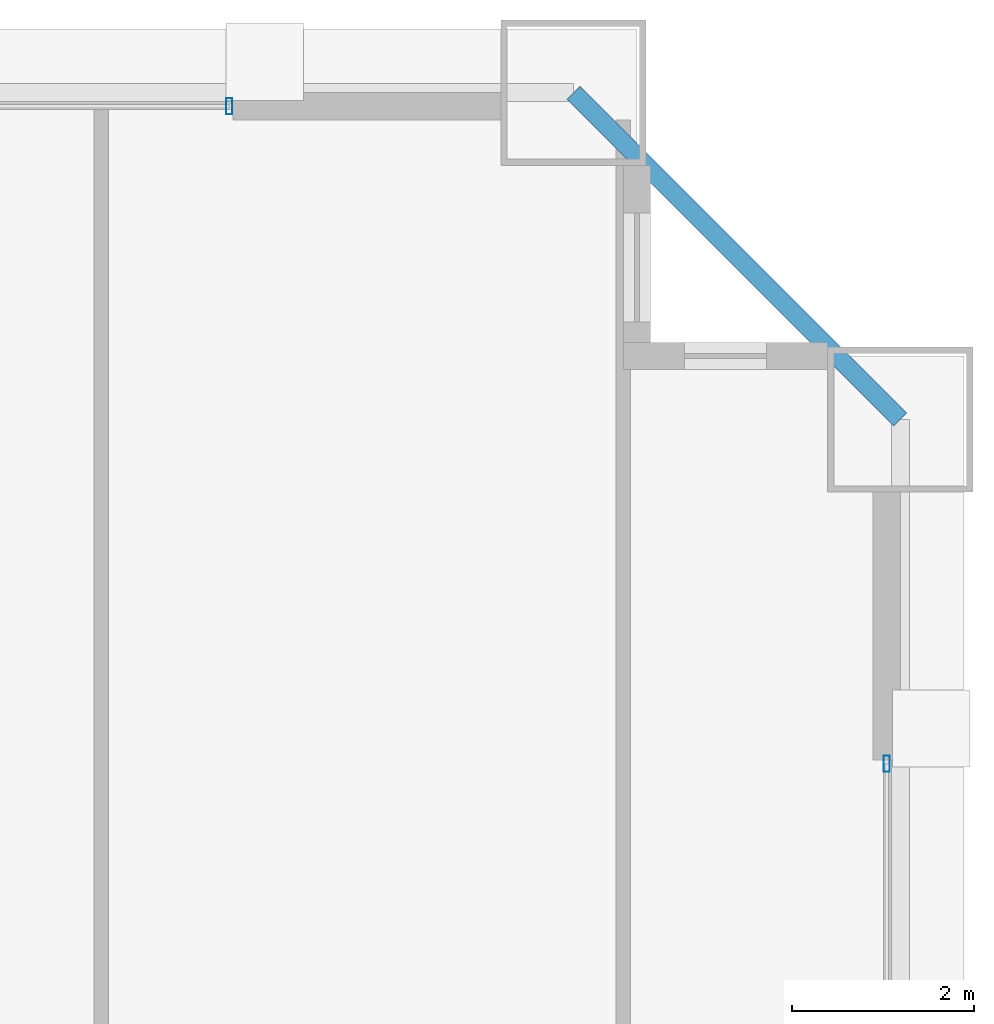
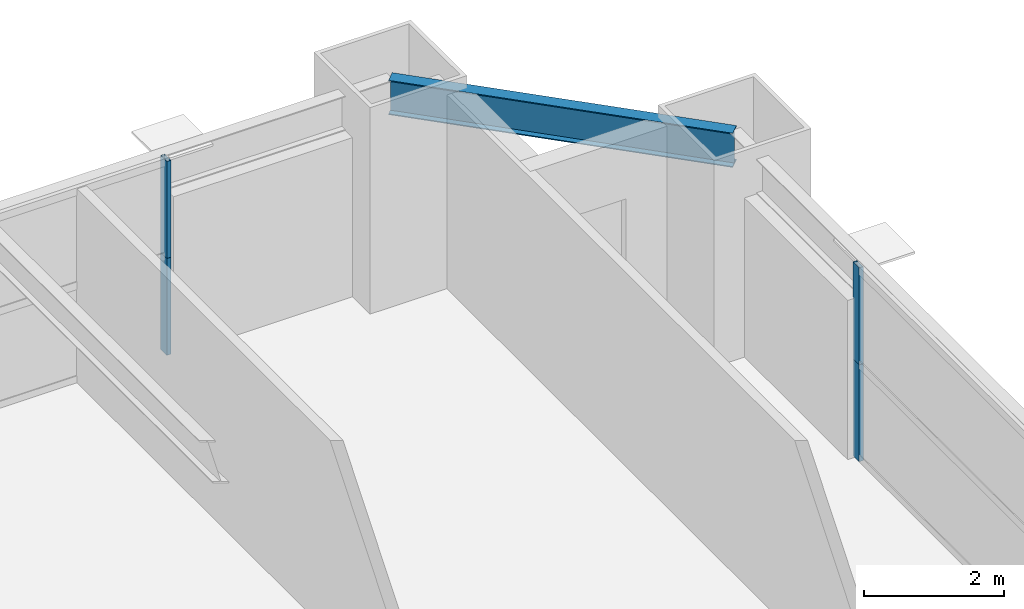
# One storey, part 32 of 38: 4 members, 1 beam, 2 elements without a shape of their own.
"""IFC4 building model written with IfcOpenShell, lengths in metres."""

import ifcopenshell
import ifcopenshell.guid

model = None  # the IFC model being written
_history = None  # IfcOwnerHistory: only IFC2X3 demands one
_inside = {}  # id of a spatial element -> (the spatial element, [elements in it])
_under = {}  # id of a project, library or spatial element -> (it, [spatial elements below it])
_declared = {}  # id of a project -> (the project, [libraries it declares])
_typed = {}  # id of a type object -> (the type object, [elements of that type])
_made_of = {}  # id of a material, layer set ... -> (it, [elements and type objects made of it])


def new_model(schema):
    """Start an empty IFC model of exactly this schema.

    Asked for "IFC4X3", IfcOpenShell would pick the latest addendum, in which some entities
    have other attributes; the version numbers below select the first issue.
    IFC2X3 requires an IfcOwnerHistory on every rooted entity: one is made here for all.
    """
    global model, _history
    if schema == "IFC4X3":
        model = ifcopenshell.file(schema_version=(4, 3, 0, 0))
    else:
        model = ifcopenshell.file(schema=schema)
    _inside.clear()
    _under.clear()
    _declared.clear()
    _typed.clear()
    _made_of.clear()
    _history = None
    if model.schema == "IFC2X3":
        org = make("IfcOrganization", Name="unknown")
        user = make(
            "IfcPersonAndOrganization",
            ThePerson=make("IfcPerson", FamilyName="unknown"),
            TheOrganization=org,
        )
        app = make(
            "IfcApplication",
            ApplicationDeveloper=org,
            Version="unknown",
            ApplicationFullName="unknown",
            ApplicationIdentifier="unknown",
        )
        _history = make(
            "IfcOwnerHistory",
            OwningUser=user,
            OwningApplication=app,
            ChangeAction="ADDED",
            CreationDate=0,
        )
    return model


def make(cls, **values):
    """One entity of the class cls with the attributes given. An attribute that is None is left unset."""
    return model.create_entity(
        cls, **{name: value for name, value in values.items() if value is not None}
    )


def rooted(cls, **values):
    """An entity with a GlobalId (a new one), such as an element, a storey or a relation."""
    return make(cls, GlobalId=ifcopenshell.guid.new(), OwnerHistory=_history, **values)


def si_unit(unit_type, name, prefix=None):
    """IfcSIUnit, for example si_unit("LENGTHUNIT", "METRE", prefix="MILLI")."""
    return make("IfcSIUnit", UnitType=unit_type, Prefix=prefix, Name=name)


def assignment(units):
    """IfcUnitAssignment: the units of a project."""
    return None if units is None else make("IfcUnitAssignment", Units=units)


def point(xyz):
    """IfcCartesianPoint."""
    return None if xyz is None else make("IfcCartesianPoint", Coordinates=xyz)


def direction(xyz):
    """IfcDirection."""
    return None if xyz is None else make("IfcDirection", DirectionRatios=xyz)


def frame(location, z_axis=None, x_axis=None):
    """IfcAxis2Placement3D, a coordinate frame: its origin and axes. An axis left out is left unset."""
    return make(
        "IfcAxis2Placement3D",
        Location=point(location),
        Axis=direction(z_axis),
        RefDirection=direction(x_axis),
    )


def frame_2d(location, x_axis=None):
    """IfcAxis2Placement2D, a coordinate frame in the plane: its origin and x axis."""
    return make(
        "IfcAxis2Placement2D", Location=point(location), RefDirection=direction(x_axis)
    )


def origin():
    """The frame at (0, 0, 0) with its axes left unset."""
    return frame((0.0, 0.0, 0.0))


def origin_2d():
    """The frame at (0, 0) in the plane with its x axis left unset."""
    return frame_2d((0.0, 0.0))


def place(relative_to, where):
    """IfcLocalPlacement: puts the frame where relative to a parent placement (None: the world)."""
    return make(
        "IfcLocalPlacement", PlacementRelTo=relative_to, RelativePlacement=where
    )


def context(
    kind, dimensions, precision=None, world=None, true_north=None, identifier=None
):
    """IfcGeometricRepresentationContext, for example the 3D "Model" context."""
    return make(
        "IfcGeometricRepresentationContext",
        ContextIdentifier=identifier,
        ContextType=kind,
        CoordinateSpaceDimension=dimensions,
        Precision=precision,
        WorldCoordinateSystem=world,
        TrueNorth=true_north,
    )


def subcontext(parent, identifier, kind, view, scale=None):
    """IfcGeometricRepresentationSubContext, for example "Body" below "Model"."""
    return make(
        "IfcGeometricRepresentationSubContext",
        ContextIdentifier=identifier,
        ContextType=kind,
        ParentContext=parent,
        TargetScale=scale,
        TargetView=view,
    )


def project(units=None, contexts=None):
    """IfcProject with its units and contexts."""
    return rooted(
        "IfcProject",
        Name="project",
        RepresentationContexts=contexts,
        UnitsInContext=assignment(units),
    )


def spatial(cls, under=None, at=None, **own):
    """A site, building, storey or space (cls), placed at a placement, below another one or the project."""
    s = rooted(cls, ObjectPlacement=at, **own)
    if under is not None:
        _under.setdefault(under.id(), (under, []))[1].append(s)
    return s


def profile(cls, at=None, kind="AREA", **sizes):
    """A parametric profile (cls). Its sizes go by their IFC names, for example OverallWidth=200.0."""
    return make(cls, ProfileType=kind, Position=at, **sizes)


def hollow_rectangle(**sizes):
    """IfcRectangleHollowProfileDef."""
    return profile("IfcRectangleHollowProfileDef", **sizes)


def i_section(**sizes):
    """IfcIShapeProfileDef."""
    return profile("IfcIShapeProfileDef", **sizes)


def extrude(swept, where, along, depth):
    """IfcExtrudedAreaSolid: the profile swept, set in the frame where, extruded along a direction by depth."""
    return make(
        "IfcExtrudedAreaSolid",
        SweptArea=swept,
        Position=where,
        ExtrudedDirection=direction(along),
        Depth=depth,
    )


def shape(context_of_items, identifier, shape_type, items):
    """IfcShapeRepresentation: the items that make up one representation, for example the "Body"."""
    return make(
        "IfcShapeRepresentation",
        ContextOfItems=context_of_items,
        RepresentationIdentifier=identifier,
        RepresentationType=shape_type,
        Items=items,
    )


def source(mapping_origin, context_of_items, identifier, shape_type, items):
    """IfcRepresentationMap: a shape defined once, which mapped items show again and again."""
    return make(
        "IfcRepresentationMap",
        MappingOrigin=mapping_origin,
        MappedRepresentation=shape(context_of_items, identifier, shape_type, items),
    )


def transform(
    local_origin,
    x_axis=None,
    y_axis=None,
    z_axis=None,
    scale=None,
    scale2=None,
    scale3=None,
    uniform=True,
):
    """IfcCartesianTransformationOperator3D, or its non-uniform kind. x_axis, y_axis, z_axis: its Axis1, 2, 3."""
    if uniform:
        return make(
            "IfcCartesianTransformationOperator3D",
            Axis1=direction(x_axis),
            Axis2=direction(y_axis),
            LocalOrigin=point(local_origin),
            Scale=scale,
            Axis3=direction(z_axis),
        )
    return make(
        "IfcCartesianTransformationOperator3DnonUniform",
        Axis1=direction(x_axis),
        Axis2=direction(y_axis),
        LocalOrigin=point(local_origin),
        Scale=scale,
        Axis3=direction(z_axis),
        Scale2=scale2,
        Scale3=scale3,
    )


def mapped(mapping_source, mapping_target):
    """IfcMappedItem: shows the shape of a source again, moved by a transform."""
    return make(
        "IfcMappedItem", MappingSource=mapping_source, MappingTarget=mapping_target
    )


def material(Name=None, Category=None):
    """IfcMaterial."""
    return make("IfcMaterial", Name=Name, Category=Category)


def layer(
    of_material, thickness, ventilated=None, Name=None, Category=None, Priority=None
):
    """IfcMaterialLayer: one layer of a wall or slab, of a material (None: an air gap)."""
    return make(
        "IfcMaterialLayer",
        Material=of_material,
        LayerThickness=thickness,
        IsVentilated=ventilated,
        Name=Name,
        Category=Category,
        Priority=Priority,
    )


def layer_set(layers, Name=None):
    """IfcMaterialLayerSet."""
    return make("IfcMaterialLayerSet", MaterialLayers=layers, LayerSetName=Name)


def material_profile(
    of_material, cross_section, Name=None, Category=None, Priority=None
):
    """IfcMaterialProfile: a cross section and its material."""
    return make(
        "IfcMaterialProfile",
        Name=Name,
        Material=of_material,
        Profile=cross_section,
        Priority=Priority,
        Category=Category,
    )


def profile_set(profiles, Name=None, composite=None):
    """IfcMaterialProfileSet."""
    return make(
        "IfcMaterialProfileSet",
        Name=Name,
        MaterialProfiles=profiles,
        CompositeProfile=composite,
    )


def made_of(thing, what):
    """Note that an element or type object is made of a material, layer set ...; save() writes the relation."""
    if what is not None:
        _made_of.setdefault(what.id(), (what, []))[1].append(thing)
    return thing


def type_object(cls, material=None, **own):
    """A type object (cls), such as IfcWallType, which elements share."""
    return made_of(rooted(cls, **own), material)


def element(
    cls,
    number,
    at=None,
    inside=None,
    cuts=None,
    type_object=None,
    material=None,
    context=None,
    identifier="Body",
    shape_type=None,
    held_by="IfcProductDefinitionShape",
    body=None,
    shapes=None,
    **own,
):
    """One element of the class cls, such as IfcWall. Its Tag is "e" and its number.

    at: its placement. inside: the storey or other place that contains it. cuts: it is an
    opening in that element (IfcRelVoidsElement). A single representation is given by context,
    identifier, shape_type and body (its items); several are given by shapes. held_by: the class
    of the entity that holds the representations. save() writes the other relations.
    """
    e = rooted(cls, Tag="e%d" % number, ObjectPlacement=at, **own)
    if body is not None:
        shapes = [shape(context, identifier, shape_type, body)]
    if shapes is not None:
        e.Representation = make(held_by, Representations=shapes)
    if inside is not None:
        _inside.setdefault(inside.id(), (inside, []))[1].append(e)
    if cuts is not None:
        rooted(
            "IfcRelVoidsElement", RelatingBuildingElement=cuts, RelatedOpeningElement=e
        )
    if type_object is not None:
        _typed.setdefault(type_object.id(), (type_object, []))[1].append(e)
    return made_of(e, material)


def aggregate(whole, parts):
    """IfcRelAggregates: a whole, such as a stair, and the parts it consists of."""
    return rooted("IfcRelAggregates", RelatingObject=whole, RelatedObjects=parts)


def save(model, path):
    """Write the relations noted so far, then the file.

    IfcRelAggregates (storeys below a building ...), IfcRelContainedInSpatialStructure (elements
    in a storey), IfcRelDefinesByType, IfcRelAssociatesMaterial and IfcRelDeclares: one each for
    every whole, place, type object, material and project.
    """
    for whole, parts in _under.values():
        aggregate(whole, parts)
    for where, things in _inside.values():
        rooted(
            "IfcRelContainedInSpatialStructure",
            RelatedElements=things,
            RelatingStructure=where,
        )
    for kind, things in _typed.values():
        rooted("IfcRelDefinesByType", RelatedObjects=things, RelatingType=kind)
    for what, things in _made_of.values():
        rooted("IfcRelAssociatesMaterial", RelatedObjects=things, RelatingMaterial=what)
    for by, libraries in _declared.values():
        rooted("IfcRelDeclares", RelatingContext=by, RelatedDefinitions=libraries)
    model.write(path)


model = new_model("IFC4")

# Units and contexts
model_context = context("Model", 3, precision=1e-05, world=origin(), true_north=direction((0.0, 1.0)))
body_context = subcontext(model_context, "Body", "Model", "MODEL_VIEW")
ifc_project = project(units=[si_unit("LENGTHUNIT", "METRE"), si_unit("AREAUNIT", "SQUARE_METRE"), si_unit("VOLUMEUNIT", "CUBIC_METRE"), si_unit("PLANEANGLEUNIT", "RADIAN"), si_unit("MASSUNIT", "GRAM", prefix="KILO"), si_unit("THERMODYNAMICTEMPERATUREUNIT", "KELVIN"), si_unit("POWERUNIT", "WATT")], contexts=[model_context])

# Site, building, storey
site_placement = place(None, origin())
site = spatial("IfcSite", under=ifc_project, at=site_placement, CompositionType="ELEMENT")
building_placement = place(site_placement, origin())
building = spatial("IfcBuilding", under=site, at=building_placement, Name="Yuzanri Waterfront Tower", CompositionType="ELEMENT")
storey_placement = place(building_placement, frame((0.0, 0.0, 97.39990234375)))
storey = spatial("IfcBuildingStorey", under=building, at=storey_placement, Name="L25", CompositionType="ELEMENT", Elevation=97.39990234375)

# Beam
ifc_material_1 = material(Name="Steel Q355B", Category="steel")
ifc_material_profile_1 = material_profile(ifc_material_1, i_section(OverallWidth=0.199951171875, OverallDepth=0.60009765625, WebThickness=0.010986328125, FlangeThickness=0.01708984375, at=origin_2d()), Name="HN 600x200x11x17")
ifc_profile_set_1 = profile_set([ifc_material_profile_1], Name="Steel Q355B")
beam_type = type_object("IfcBeamType", Name="Perimeter Spandrel Q355B HN 600x200", PredefinedType="SPANDREL", material=ifc_profile_set_1)
shared_shape_1 = source(origin(), body_context, "Body", "SweptSolid", [
    extrude(i_section(OverallWidth=0.199951171875, OverallDepth=0.60009765625, WebThickness=0.010986328125, FlangeThickness=0.01708984375, at=origin_2d()), origin(), (0.0, 0.0, 1.0), 5.091064453125),
])
beam_placement = place(storey_placement, frame((60.60009765625, 45.800048828125, 3.080078125), z_axis=(-0.707130757816, 0.707082803744, 0.0), x_axis=(-0.707082803744, -0.707130757816, 0.0)))
element("IfcBeam", 1, at=beam_placement, inside=storey, type_object=beam_type, Name="L25 Perimeter Spandrel E3-N3", PredefinedType="SPANDREL", context=body_context, shape_type="MappedRepresentation", body=[
    mapped(shared_shape_1, transform((0.0, 0.0, 0.0), scale=1.0)),
])

# Curtain wall, members
ifc_material_2 = material(Name="Anodized Architectural Bronze", Category="metal")
ifc_layer = layer(ifc_material_2, 0.159912109375)
ifc_layer_set = layer_set([ifc_layer], Name="Anodized Architectural Bronze")
curtain_wall_type = type_object("IfcCurtainWallType", Name="Anodized Bronze Hotel Upper-Tier Solar-Control Unitized Curtain Wall 7800", PredefinedType="NOTDEFINED", material=ifc_layer_set)
curtain_wall_1_placement = place(storey_placement, origin())
curtain_wall_1 = element("IfcCurtainWall", 2, at=curtain_wall_1_placement, inside=storey, type_object=curtain_wall_type, Name="L25 Curtain Wall CW-L25-NR", PredefinedType="NOTDEFINED")
ifc_material_3 = material(Name="Anodized Architectural Bronze", Category="metal")
ifc_material_profile_2 = material_profile(ifc_material_3, hollow_rectangle(XDim=0.070068359375, YDim=0.179931640625, WallThickness=0.00390625, at=origin_2d()), Name="CWM 70x180")
ifc_profile_set_2 = profile_set([ifc_material_profile_2], Name="Anodized Architectural Bronze")
member_type = type_object("IfcMemberType", Name="Anodized Bronze Standard Curtain-Wall Mullion 70x180", PredefinedType="MULLION", material=ifc_profile_set_2)
shared_shape_2 = source(origin(), body_context, "Body", "SweptSolid", [
    extrude(hollow_rectangle(XDim=0.070068359375, YDim=0.179931640625, WallThickness=0.00390625, at=origin_2d()), origin(), (0.0, 0.0, 1.0), 1.68798828125),
])
member_1_placement = place(storey_placement, frame((53.2099609375, 49.25, 0.0), z_axis=(0.0, 0.0, 1.0), x_axis=(1.0, 0.0, 0.0)))
member_1 = element("IfcMember", 3, at=member_1_placement, type_object=member_type, Name="CW-L25-NR Lower Mullion 02", PredefinedType="MULLION", context=body_context, shape_type="MappedRepresentation", body=[
    mapped(shared_shape_2, transform((0.0, 0.0, 0.0), scale=1.0)),
])
member_2_placement = place(storey_placement, frame((53.2099609375, 49.25, 1.692138671875), z_axis=(0.0, 0.0, 1.0), x_axis=(1.0, 0.0, 0.0)))
member_2 = element("IfcMember", 4, at=member_2_placement, type_object=member_type, Name="CW-L25-NR Upper Mullion 02", PredefinedType="MULLION", context=body_context, shape_type="MappedRepresentation", body=[
    mapped(shared_shape_2, transform((0.0, 0.0, 0.0), scale=1.0)),
])
aggregate(curtain_wall_1, [member_1, member_2])

curtain_wall_2_placement = place(storey_placement, origin())
curtain_wall_2 = element("IfcCurtainWall", 5, at=curtain_wall_2_placement, inside=storey, type_object=curtain_wall_type, Name="L25 Curtain Wall CW-L25-ER", PredefinedType="NOTDEFINED")
member_3_placement = place(storey_placement, frame((60.449951171875, 42.010009765625, 0.0), z_axis=(0.0, 0.0, 1.0), x_axis=(1.0, 0.0, 0.0)))
member_3 = element("IfcMember", 6, at=member_3_placement, type_object=member_type, Name="CW-L25-ER Lower Mullion 02", PredefinedType="MULLION", context=body_context, shape_type="MappedRepresentation", body=[
    mapped(shared_shape_2, transform((0.0, 0.0, 0.0), scale=1.0)),
])
member_4_placement = place(storey_placement, frame((60.449951171875, 42.010009765625, 1.692138671875), z_axis=(0.0, 0.0, 1.0), x_axis=(1.0, 0.0, 0.0)))
member_4 = element("IfcMember", 7, at=member_4_placement, type_object=member_type, Name="CW-L25-ER Upper Mullion 02", PredefinedType="MULLION", context=body_context, shape_type="MappedRepresentation", body=[
    mapped(shared_shape_2, transform((0.0, 0.0, 0.0), scale=1.0)),
])
aggregate(curtain_wall_2, [member_3, member_4])

save(model, "model.ifc")
